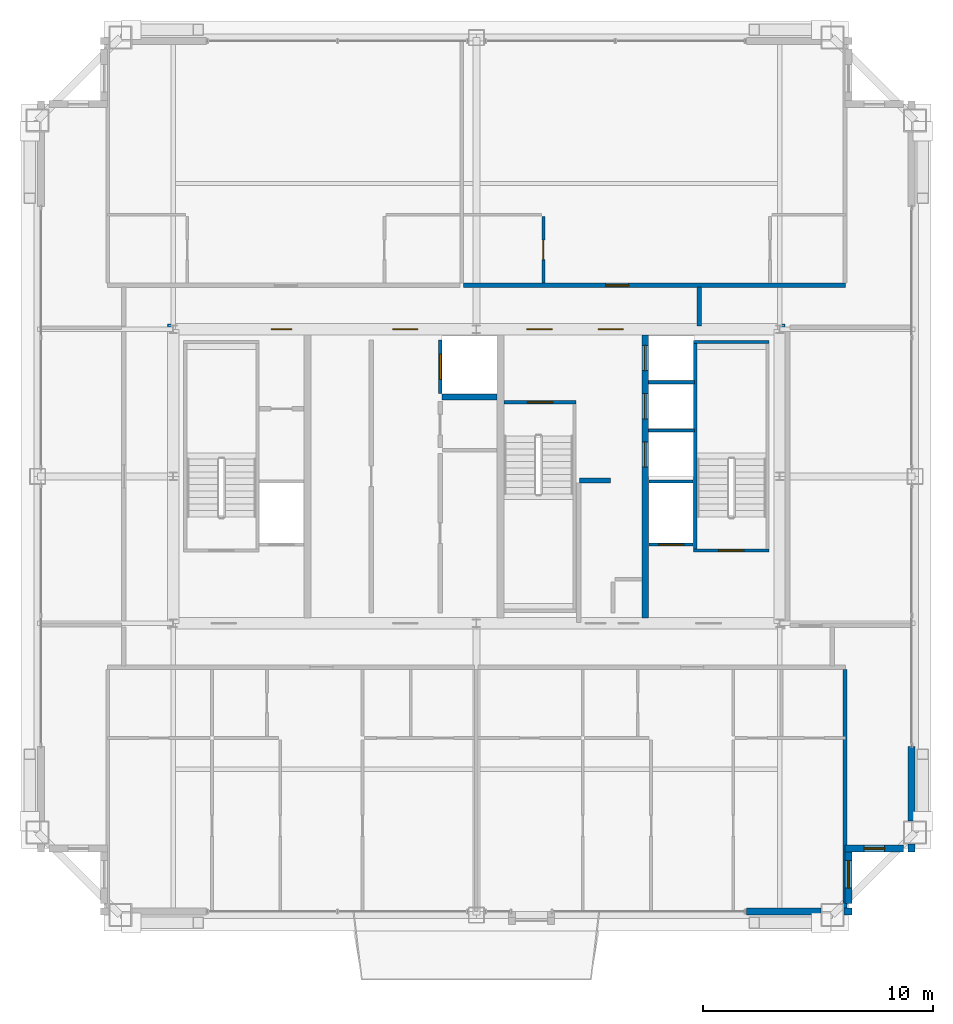
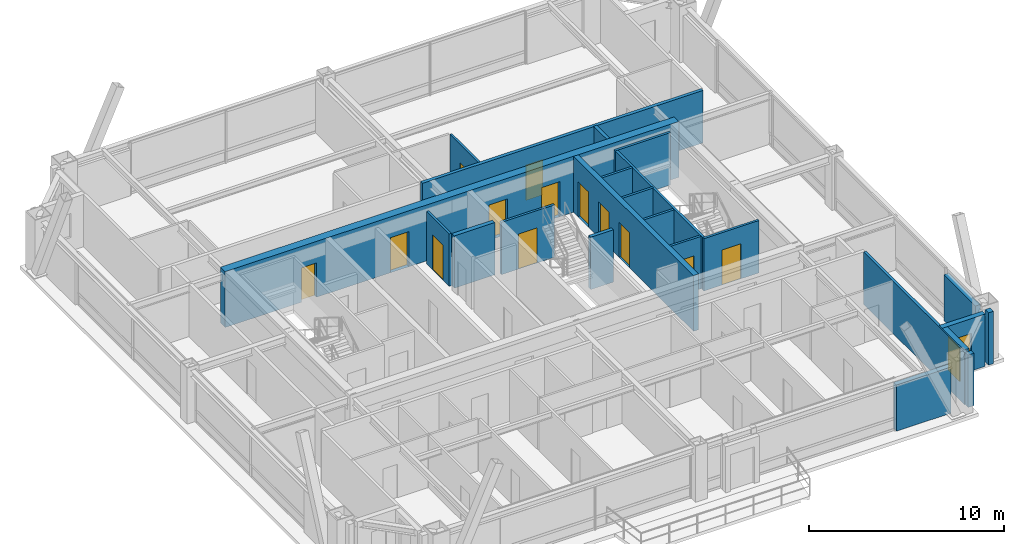
# One storey, part 32 of 34: 23 walls, 13 doors, 2 windows, 15 openings.
"""IFC4 building model written with IfcOpenShell, lengths in metres."""

from ifc_helpers import new_model, si_unit, direction, frame, frame_2d, origin, place, context, subcontext, project, spatial, rectangle, extrude, source, transform, mapped, material, layer, layer_set, type_object, element, fill, save


model = new_model("IFC4")

# Units and contexts
model_context = context("Model", 3, precision=1e-05, world=origin(), true_north=direction((0.0, 1.0)))
body_context = subcontext(model_context, "Body", "Model", "MODEL_VIEW")
ifc_project = project(units=[si_unit("LENGTHUNIT", "METRE"), si_unit("AREAUNIT", "SQUARE_METRE"), si_unit("VOLUMEUNIT", "CUBIC_METRE"), si_unit("PLANEANGLEUNIT", "RADIAN"), si_unit("MASSUNIT", "GRAM", prefix="KILO"), si_unit("THERMODYNAMICTEMPERATUREUNIT", "KELVIN"), si_unit("POWERUNIT", "WATT")], contexts=[model_context])

# Site, building, storey
site_placement = place(None, origin())
site = spatial("IfcSite", under=ifc_project, at=site_placement, CompositionType="ELEMENT")
building_placement = place(site_placement, origin())
building = spatial("IfcBuilding", under=site, at=building_placement, Name="Yuzanri Waterfront Tower", CompositionType="ELEMENT")
storey_placement = place(building_placement, frame((0.0, 0.0, 328.699951171875)))
storey = spatial("IfcBuildingStorey", under=building, at=storey_placement, Name="L88", CompositionType="ELEMENT", Elevation=328.699951171875)

# Wall, opening, door
ifc_material_1 = material(Name="Moisture-Resistant Gypsum Stud Wall", Category="gypsum")
ifc_layer_1 = layer(ifc_material_1, 0.1201171875)
ifc_layer_set_1 = layer_set([ifc_layer_1], Name="Moisture-Resistant Gypsum Stud Wall")
wall_type_1 = type_object("IfcWallType", Name="Bathroom and Kitchen Wet Partition 120", PredefinedType="PARTITIONING", material=ifc_layer_set_1)
wall_1_placement = place(storey_placement, frame((39.91796875, 34.2099609375, 0.0), z_axis=(0.0, 0.0, 1.0), x_axis=(0.0, 1.0, 0.0)))
wall_1 = element("IfcWall", 1, at=wall_1_placement, inside=storey, type_object=wall_type_1, Name="L88 Partition UW-L88-HN2-SUB-1-E", PredefinedType="PARTITIONING", context=body_context, shape_type="SweptSolid", body=[
    extrude(rectangle(XDim=2.900146484375, YDim=0.1201171875, at=frame_2d((1.4501953125, 0.0))), origin(), (0.0, 0.0, 1.0), 3.280029296875),
])
opening_1_placement = place(wall_1_placement, frame((1.02490234375, 0.0, 0.0)))
opening_1 = element("IfcOpeningElement", 2, at=opening_1_placement, cuts=wall_1, Name="Opening ID-0850", PredefinedType="OPENING", context=body_context, shape_type="SweptSolid", body=[
    extrude(rectangle(XDim=0.85009765625, YDim=2.10009765625, at=frame_2d((0.425048828125, 1.050048828125))), frame((0.0, 0.074951171875, 0.0), z_axis=(0.0, -1.0, 0.0), x_axis=(1.0, 0.0, 0.0)), (0.0, 0.0, 1.0), 0.14990234375),
])
ifc_material_2 = material(Name="Moisture-Resistant Lacquered Timber", Category="wood")
door_type_1 = type_object("IfcDoorType", Name="En-Suite Bathroom and Kitchen Swing Door 850x2100", OperationType="NOTDEFINED", PredefinedType="DOOR", material=ifc_material_2)
shared_shape_1 = source(origin(), body_context, "Body", "SweptSolid", [
    extrude(rectangle(XDim=0.85009765625, YDim=2.10009765625, at=frame_2d((0.425048828125, 1.050048828125))), frame((0.0, 0.02490234375, 0.0), z_axis=(0.0, -1.0, 0.0), x_axis=(1.0, 0.0, 0.0)), (0.0, 0.0, 1.0), 0.050048828125),
])
door_1_placement = place(opening_1_placement, origin())
door_1 = element("IfcDoor", 3, at=door_1_placement, inside=storey, type_object=door_type_1, Name="L88 Suite Interior Room Door", OperationType="SINGLE_SWING_RIGHT", OverallHeight=2.10009765625, OverallWidth=0.85009765625, PredefinedType="DOOR", context=body_context, shape_type="MappedRepresentation", body=[
    mapped(shared_shape_1, transform((0.0, 0.0, 0.0), scale=1.0)),
])
fill(opening_1, door_1)

# Wall, opening, window
ifc_material_3 = material(Name="Honed Chongqing Dark Basalt Stone", Category="masonry")
ifc_layer_2 = layer(ifc_material_3, 0.300048828125)
ifc_layer_set_2 = layer_set([ifc_layer_2], Name="Honed Chongqing Dark Basalt Stone")
wall_type_2 = type_object("IfcWallType", Name="Bronze Rainscreen Insulated Spandrel Portal Wall 300", PredefinedType="SOLIDWALL", material=ifc_layer_set_2)
wall_2_placement = place(storey_placement, frame((53.050048828125, 9.60009765625, 0.0), z_axis=(0.0, 0.0, 1.0), x_axis=(1.0, 0.0, 0.0)))
wall_2 = element("IfcWall", 4, at=wall_2_placement, inside=storey, type_object=wall_type_2, Name="L88 Notched Corner Masonry Wall SE-X", PredefinedType="SOLIDWALL", context=body_context, shape_type="SweptSolid", body=[
    extrude(rectangle(XDim=2.550048828125, YDim=0.300048828125, at=frame_2d((1.27490234375, 0.0))), origin(), (0.0, 0.0, 1.0), 3.280029296875),
])
opening_2_placement = place(wall_2_placement, frame((0.824951171875, 0.0, 0.85009765625)))
opening_2 = element("IfcOpeningElement", 5, at=opening_2_placement, cuts=wall_2, Name="Opening WN-05", PredefinedType="OPENING", context=body_context, shape_type="SweptSolid", body=[
    extrude(rectangle(XDim=0.89990234375, YDim=1.5, at=frame_2d((0.449951171875, 0.75))), frame((0.0, 0.1650390625, 0.0), z_axis=(0.0, -1.0, 0.0), x_axis=(1.0, 0.0, 0.0)), (0.0, 0.0, 1.0), 0.329833984375),
])
ifc_material_4 = material(Name="Double-Silver Low-E Insulated Glass", Category="glass")
window_type_1 = type_object("IfcWindowType", Name="Anodized Bronze Service and Stairwell Smoke-Vent Window 900x1500", PartitioningType="SINGLE_PANEL", PredefinedType="WINDOW", material=ifc_material_4)
shared_shape_2 = source(origin(), body_context, "Body", "SweptSolid", [
    extrude(rectangle(XDim=0.89990234375, YDim=1.5, at=frame_2d((0.449951171875, 0.75))), frame((0.0, 0.030029296875, 0.0), z_axis=(0.0, -1.0, 0.0), x_axis=(1.0, 0.0, 0.0)), (0.0, 0.0, 1.0), 0.06005859375),
])
window_1_placement = place(opening_2_placement, origin())
window_1 = element("IfcWindow", 6, at=window_1_placement, inside=storey, type_object=window_type_1, Name="L88 Notched Corner Window SE-X", OverallHeight=1.5, OverallWidth=0.89990234375, PartitioningType="SINGLE_PANEL", PredefinedType="WINDOW", context=body_context, shape_type="MappedRepresentation", body=[
    mapped(shared_shape_2, transform((0.0, 0.0, 0.0), scale=1.0)),
])
fill(opening_2, window_1)

wall_3_placement = place(storey_placement, frame((53.199951171875, 7.199951171875, 0.0), z_axis=(0.0, 0.0, 1.0), x_axis=(0.0, 1.0, 0.0)))
wall_3 = element("IfcWall", 7, at=wall_3_placement, inside=storey, type_object=wall_type_2, Name="L88 Notched Corner Masonry Wall SE-Y", PredefinedType="SOLIDWALL", context=body_context, shape_type="SweptSolid", body=[
    extrude(rectangle(XDim=2.550048828125, YDim=0.300048828125, at=frame_2d((1.27490234375, 0.0))), origin(), (0.0, 0.0, 1.0), 3.280029296875),
])
opening_3_placement = place(wall_3_placement, frame((0.675048828125, 0.0, 0.85009765625)))
opening_3 = element("IfcOpeningElement", 8, at=opening_3_placement, cuts=wall_3, Name="Opening WN-02", PredefinedType="OPENING", context=body_context, shape_type="SweptSolid", body=[
    extrude(rectangle(XDim=1.199951171875, YDim=2.10009765625, at=frame_2d((0.60009765625, 1.050048828125))), frame((0.0, 0.1650390625, 0.0), z_axis=(0.0, -1.0, 0.0), x_axis=(1.0, 0.0, 0.0)), (0.0, 0.0, 1.0), 0.329833984375),
])
ifc_material_5 = material(Name="Double-Silver Low-E Insulated Glass", Category="glass")
window_type_2 = type_object("IfcWindowType", Name="Anodized Bronze Notched Corner Deep-Set Slot Window 1200x2100", PartitioningType="SINGLE_PANEL", PredefinedType="WINDOW", material=ifc_material_5)
shared_shape_3 = source(origin(), body_context, "Body", "SweptSolid", [
    extrude(rectangle(XDim=1.199951171875, YDim=2.10009765625, at=frame_2d((0.60009765625, 1.050048828125))), frame((0.0, 0.030029296875, 0.0), z_axis=(0.0, -1.0, 0.0), x_axis=(1.0, 0.0, 0.0)), (0.0, 0.0, 1.0), 0.06005859375),
])
window_2_placement = place(opening_3_placement, origin())
window_2 = element("IfcWindow", 9, at=window_2_placement, inside=storey, type_object=window_type_2, Name="L88 Notched Corner Window SE-Y", OverallHeight=2.10009765625, OverallWidth=1.199951171875, PartitioningType="SINGLE_PANEL", PredefinedType="WINDOW", context=body_context, shape_type="MappedRepresentation", body=[
    mapped(shared_shape_3, transform((0.0, 0.0, 0.0), scale=1.0)),
])
fill(opening_3, window_2)

# Wall, openings, doors
ifc_material_6 = material(Name="Concrete C45", Category="concrete")
ifc_layer_3 = layer(ifc_material_6, 0.47998046875)
ifc_layer_set_3 = layer_set([ifc_layer_3], Name="Concrete C45")
wall_type_3 = type_object("IfcWallType", Name="Concrete C45 High-Rise Core Shear Wall 480", PredefinedType="SHEAR", material=ifc_layer_set_3)
wall_4_placement = place(storey_placement, frame((23.56005859375, 32.199951171875, 0.0), z_axis=(0.0, 0.0, 1.0), x_axis=(1.0, 0.0, 0.0)))
wall_4 = element("IfcWall", 10, at=wall_4_placement, inside=storey, type_object=wall_type_3, Name="L88 Core North Shear Wall", PredefinedType="SHEAR", context=body_context, shape_type="SweptSolid", body=[
    extrude(rectangle(XDim=26.8798828125, YDim=0.47998046875, at=frame_2d((13.43994140625, 0.0))), origin(), (0.0, 0.0, 1.0), 3.5),
])
opening_4_placement = place(wall_4_placement, frame((4.510009765625, 0.0, 0.0)))
opening_4 = element("IfcOpeningElement", 11, at=opening_4_placement, cuts=wall_4, Name="Opening FD-0900", PredefinedType="OPENING", context=body_context, shape_type="SweptSolid", body=[
    extrude(rectangle(XDim=0.89990234375, YDim=2.14990234375, at=frame_2d((0.449951171875, 1.074951171875))), frame((0.0, 0.2548828125, 0.0), z_axis=(0.0, -1.0, 0.0), x_axis=(1.0, 0.0, 0.0)), (0.0, 0.0, 1.0), 0.509765625),
])
opening_5_placement = place(wall_4_placement, frame((9.7900390625, 0.0, 0.0)))
opening_5 = element("IfcOpeningElement", 12, at=opening_5_placement, cuts=wall_4, Name="Opening FD-1100", PredefinedType="OPENING", context=body_context, shape_type="SweptSolid", body=[
    extrude(rectangle(XDim=1.10009765625, YDim=2.199951171875, at=frame_2d((0.550048828125, 1.10009765625))), frame((0.0, 0.2548828125, 0.0), z_axis=(0.0, -1.0, 0.0), x_axis=(1.0, 0.0, 0.0)), (0.0, 0.0, 1.0), 0.509765625),
])
opening_6_placement = place(wall_4_placement, frame((15.639892578125, 0.0, 0.0)))
opening_6 = element("IfcOpeningElement", 13, at=opening_6_placement, cuts=wall_4, Name="Opening FD-1100", PredefinedType="OPENING", context=body_context, shape_type="SweptSolid", body=[
    extrude(rectangle(XDim=1.10009765625, YDim=2.199951171875, at=frame_2d((0.550048828125, 1.10009765625))), frame((0.0, 0.2548828125, 0.0), z_axis=(0.0, -1.0, 0.0), x_axis=(1.0, 0.0, 0.0)), (0.0, 0.0, 1.0), 0.509765625),
])
opening_7_placement = place(wall_4_placement, frame((18.739990234375, 0.0, 0.0)))
opening_7 = element("IfcOpeningElement", 14, at=opening_7_placement, cuts=wall_4, Name="Opening FD-1100", PredefinedType="OPENING", context=body_context, shape_type="SweptSolid", body=[
    extrude(rectangle(XDim=1.10009765625, YDim=2.199951171875, at=frame_2d((0.550048828125, 1.10009765625))), frame((0.0, 0.2548828125, 0.0), z_axis=(0.0, -1.0, 0.0), x_axis=(1.0, 0.0, 0.0)), (0.0, 0.0, 1.0), 0.509765625),
])
ifc_material_7 = material(Name="Painted Galvanized Fire Steel", Category="steel")
door_type_2 = type_object("IfcDoorType", Name="Smoke-Proof Stair and Lobby Fire Door 1100x2200", OperationType="NOTDEFINED", PredefinedType="DOOR", material=ifc_material_7)
shared_shape_4 = source(origin(), body_context, "Body", "SweptSolid", [
    extrude(rectangle(XDim=1.10009765625, YDim=2.199951171875, at=frame_2d((0.550048828125, 1.10009765625))), frame((0.0, 0.02490234375, 0.0), z_axis=(0.0, -1.0, 0.0), x_axis=(1.0, 0.0, 0.0)), (0.0, 0.0, 1.0), 0.050048828125),
])
door_2_placement = place(opening_5_placement, origin())
door_2 = element("IfcDoor", 15, at=door_2_placement, inside=storey, type_object=door_type_2, Name="L88 Central Lift Lobby North Door", OperationType="SINGLE_SWING_LEFT", OverallHeight=2.199951171875, OverallWidth=1.10009765625, PredefinedType="DOOR", context=body_context, shape_type="MappedRepresentation", body=[
    mapped(shared_shape_4, transform((0.0, 0.0, 0.0), scale=1.0)),
])
fill(opening_5, door_2)
door_3_placement = place(opening_6_placement, origin())
door_3 = element("IfcDoor", 16, at=door_3_placement, inside=storey, type_object=door_type_2, Name="L88 North Stair Lobby Door", OperationType="SINGLE_SWING_RIGHT", OverallHeight=2.199951171875, OverallWidth=1.10009765625, PredefinedType="DOOR", context=body_context, shape_type="MappedRepresentation", body=[
    mapped(shared_shape_4, transform((0.0, 0.0, 0.0), scale=1.0)),
])
fill(opening_6, door_3)
door_4_placement = place(opening_7_placement, origin())
door_4 = element("IfcDoor", 17, at=door_4_placement, inside=storey, type_object=door_type_2, Name="L88 High-Rise Lift Lobby North Door", OperationType="SINGLE_SWING_LEFT", OverallHeight=2.199951171875, OverallWidth=1.10009765625, PredefinedType="DOOR", context=body_context, shape_type="MappedRepresentation", body=[
    mapped(shared_shape_4, transform((0.0, 0.0, 0.0), scale=1.0)),
])
fill(opening_7, door_4)
ifc_material_8 = material(Name="Painted Galvanized Fire Steel", Category="steel")
door_type_3 = type_object("IfcDoorType", Name="Riser and Service Room Fire Door 900x2150", OperationType="NOTDEFINED", PredefinedType="DOOR", material=ifc_material_8)
shared_shape_5 = source(origin(), body_context, "Body", "SweptSolid", [
    extrude(rectangle(XDim=0.89990234375, YDim=2.14990234375, at=frame_2d((0.449951171875, 1.074951171875))), frame((0.0, 0.02490234375, 0.0), z_axis=(0.0, -1.0, 0.0), x_axis=(1.0, 0.0, 0.0)), (0.0, 0.0, 1.0), 0.050048828125),
])
door_5_placement = place(opening_4_placement, origin())
door_5 = element("IfcDoor", 18, at=door_5_placement, inside=storey, type_object=door_type_3, Name="L88 Telecom Riser Door", OperationType="SINGLE_SWING_RIGHT", OverallHeight=2.14990234375, OverallWidth=0.89990234375, PredefinedType="DOOR", context=body_context, shape_type="MappedRepresentation", body=[
    mapped(shared_shape_5, transform((0.0, 0.0, 0.0), scale=1.0)),
])
fill(opening_4, door_5)

ifc_material_9 = material(Name="Concrete C50", Category="concrete")
ifc_layer_4 = layer(ifc_material_9, 0.300048828125)
ifc_layer_set_4 = layer_set([ifc_layer_4], Name="Concrete C50")
wall_type_4 = type_object("IfcWallType", Name="Concrete C50 Internal Core Shaft Structural Wall 300", PredefinedType="SOLIDWALL", material=ifc_layer_set_4)
wall_5_placement = place(storey_placement, frame((44.35009765625, 19.639892578125, 0.0), z_axis=(0.0, 0.0, 1.0), x_axis=(0.0, 1.0, 0.0)))
wall_5 = element("IfcWall", 19, at=wall_5_placement, inside=storey, type_object=wall_type_4, Name="L88 Core Internal Structural Web Wall 3", PredefinedType="SOLIDWALL", context=body_context, shape_type="SweptSolid", body=[
    extrude(rectangle(XDim=12.320068359375, YDim=0.300048828125, at=frame_2d((6.16015625, 0.0))), origin(), (0.0, 0.0, 1.0), 3.5),
])
opening_8_placement = place(wall_5_placement, frame((6.56005859375, 0.0, 0.0)))
opening_8 = element("IfcOpeningElement", 20, at=opening_8_placement, cuts=wall_5, Name="Opening LD-PL-09", PredefinedType="OPENING", context=body_context, shape_type="SweptSolid", body=[
    extrude(rectangle(XDim=1.10009765625, YDim=2.199951171875, at=frame_2d((0.550048828125, 1.10009765625))), frame((0.0, 0.1650390625, 0.0), z_axis=(0.0, -1.0, 0.0), x_axis=(1.0, 0.0, 0.0)), (0.0, 0.0, 1.0), 0.329833984375),
])
opening_9_placement = place(wall_5_placement, frame((8.659912109375, 0.0, 0.0)))
opening_9 = element("IfcOpeningElement", 21, at=opening_9_placement, cuts=wall_5, Name="Opening LD-PL-10", PredefinedType="OPENING", context=body_context, shape_type="SweptSolid", body=[
    extrude(rectangle(XDim=1.10009765625, YDim=2.199951171875, at=frame_2d((0.550048828125, 1.10009765625))), frame((0.0, 0.1650390625, 0.0), z_axis=(0.0, -1.0, 0.0), x_axis=(1.0, 0.0, 0.0)), (0.0, 0.0, 1.0), 0.329833984375),
])
opening_10_placement = place(wall_5_placement, frame((10.760009765625, 0.0, 0.0)))
opening_10 = element("IfcOpeningElement", 22, at=opening_10_placement, cuts=wall_5, Name="Opening LD-PL-11", PredefinedType="OPENING", context=body_context, shape_type="SweptSolid", body=[
    extrude(rectangle(XDim=1.10009765625, YDim=2.199951171875, at=frame_2d((0.550048828125, 1.10009765625))), frame((0.0, 0.1650390625, 0.0), z_axis=(0.0, -1.0, 0.0), x_axis=(1.0, 0.0, 0.0)), (0.0, 0.0, 1.0), 0.329833984375),
])
ifc_material_10 = material(Name="Brushed Bronze and Stainless Steel Cab", Category="steel")
door_type_4 = type_object("IfcDoorType", Name="Center-Parting Bronze Lift Landing Sliding Door 1100x2200", OperationType="NOTDEFINED", PredefinedType="DOOR", material=ifc_material_10)
shared_shape_6 = source(origin(), body_context, "Body", "SweptSolid", [
    extrude(rectangle(XDim=1.10009765625, YDim=2.199951171875, at=frame_2d((0.550048828125, 1.10009765625))), frame((0.0, 0.02490234375, 0.0), z_axis=(0.0, -1.0, 0.0), x_axis=(1.0, 0.0, 0.0)), (0.0, 0.0, 1.0), 0.050048828125),
])
door_6_placement = place(opening_8_placement, origin())
door_6 = element("IfcDoor", 23, at=door_6_placement, inside=storey, type_object=door_type_4, Name="L88 PL-09 Lift Landing Sliding Door", OperationType="SLIDING_TO_LEFT", OverallHeight=2.199951171875, OverallWidth=1.10009765625, PredefinedType="DOOR", context=body_context, shape_type="MappedRepresentation", body=[
    mapped(shared_shape_6, transform((0.0, 0.0, 0.0), scale=1.0)),
])
fill(opening_8, door_6)
door_7_placement = place(opening_9_placement, origin())
door_7 = element("IfcDoor", 24, at=door_7_placement, inside=storey, type_object=door_type_4, Name="L88 PL-10 Lift Landing Sliding Door", OperationType="SLIDING_TO_RIGHT", OverallHeight=2.199951171875, OverallWidth=1.10009765625, PredefinedType="DOOR", context=body_context, shape_type="MappedRepresentation", body=[
    mapped(shared_shape_6, transform((0.0, 0.0, 0.0), scale=1.0)),
])
fill(opening_9, door_7)
door_8_placement = place(opening_10_placement, origin())
door_8 = element("IfcDoor", 25, at=door_8_placement, inside=storey, type_object=door_type_4, Name="L88 PL-11 Lift Landing Sliding Door", OperationType="SLIDING_TO_LEFT", OverallHeight=2.199951171875, OverallWidth=1.10009765625, PredefinedType="DOOR", context=body_context, shape_type="MappedRepresentation", body=[
    mapped(shared_shape_6, transform((0.0, 0.0, 0.0), scale=1.0)),
])
fill(opening_10, door_8)

# Wall, opening, door
ifc_material_11 = material(Name="Concrete C40", Category="concrete")
ifc_layer_5 = layer(ifc_material_11, 0.139892578125)
ifc_layer_set_5 = layer_set([ifc_layer_5], Name="Concrete C40")
wall_type_5 = type_object("IfcWallType", Name="Core Stair Liner and Hoistway Shaft Wall 140", PredefinedType="SOLIDWALL", material=ifc_layer_set_5)
wall_6_placement = place(storey_placement, frame((44.52001953125, 22.830078125, 0.0), z_axis=(0.0, 0.0, 1.0), x_axis=(1.0, 0.0, 0.0)))
wall_6 = element("IfcWall", 26, at=wall_6_placement, inside=storey, type_object=wall_type_5, Name="L88 Lift FL-02 Front Shaft Wall", PredefinedType="SOLIDWALL", context=body_context, shape_type="SweptSolid", body=[
    extrude(rectangle(XDim=1.919921875, YDim=0.139892578125, at=frame_2d((0.9599609375, 0.0))), origin(), (0.0, 0.0, 1.0), 3.280029296875),
])
opening_11_placement = place(wall_6_placement, frame((0.409912109375, 0.0, 0.0)))
opening_11 = element("IfcOpeningElement", 27, at=opening_11_placement, cuts=wall_6, Name="Opening LD-FL-02", PredefinedType="OPENING", context=body_context, shape_type="SweptSolid", body=[
    extrude(rectangle(XDim=1.10009765625, YDim=2.199951171875, at=frame_2d((0.550048828125, 1.10009765625))), frame((0.0, 0.0849609375, 0.0), z_axis=(0.0, -1.0, 0.0), x_axis=(1.0, 0.0, 0.0)), (0.0, 0.0, 1.0), 0.169677734375),
])
door_9_placement = place(opening_11_placement, origin())
door_9 = element("IfcDoor", 28, at=door_9_placement, inside=storey, type_object=door_type_4, Name="L88 FL-02 Lift Landing Sliding Door", OperationType="SLIDING_TO_RIGHT", OverallHeight=2.199951171875, OverallWidth=1.10009765625, PredefinedType="DOOR", context=body_context, shape_type="MappedRepresentation", body=[
    mapped(shared_shape_6, transform((0.0, 0.0, 0.0), scale=1.0)),
])
fill(opening_11, door_9)

wall_7_placement = place(storey_placement, frame((35.429931640625, 29.39990234375, 0.0), z_axis=(0.0, 0.0, 1.0), x_axis=(0.0, 1.0, 0.0)))
wall_7 = element("IfcWall", 29, at=wall_7_placement, inside=storey, type_object=wall_type_5, Name="L88 Lift SL-02 Front Shaft Wall", PredefinedType="SOLIDWALL", context=body_context, shape_type="SweptSolid", body=[
    extrude(rectangle(XDim=2.340087890625, YDim=0.139892578125, at=frame_2d((1.169921875, 0.0))), origin(), (0.0, 0.0, 1.0), 3.280029296875),
])
opening_12_placement = place(wall_7_placement, frame((0.6201171875, 0.0, 0.0)))
opening_12 = element("IfcOpeningElement", 30, at=opening_12_placement, cuts=wall_7, Name="Opening LD-SL-02", PredefinedType="OPENING", context=body_context, shape_type="SweptSolid", body=[
    extrude(rectangle(XDim=1.10009765625, YDim=2.199951171875, at=frame_2d((0.550048828125, 1.10009765625))), frame((0.0, 0.0849609375, 0.0), z_axis=(0.0, -1.0, 0.0), x_axis=(1.0, 0.0, 0.0)), (0.0, 0.0, 1.0), 0.169677734375),
])
door_10_placement = place(opening_12_placement, origin())
door_10 = element("IfcDoor", 31, at=door_10_placement, inside=storey, type_object=door_type_4, Name="L88 SL-02 Lift Landing Sliding Door", OperationType="SLIDING_TO_RIGHT", OverallHeight=2.199951171875, OverallWidth=1.10009765625, PredefinedType="DOOR", context=body_context, shape_type="MappedRepresentation", body=[
    mapped(shared_shape_6, transform((0.0, 0.0, 0.0), scale=1.0)),
])
fill(opening_12, door_10)

wall_8_placement = place(storey_placement, frame((46.4599609375, 22.570068359375, 0.0), z_axis=(0.0, 0.0, 1.0), x_axis=(1.0, 0.0, 0.0)))
wall_8 = element("IfcWall", 32, at=wall_8_placement, inside=storey, type_object=wall_type_5, Name="L88 Shaft Wall STW-L88-ST-02-S", PredefinedType="SOLIDWALL", context=body_context, shape_type="SweptSolid", body=[
    extrude(rectangle(XDim=3.280029296875, YDim=0.139892578125, at=frame_2d((1.64013671875, 0.0))), origin(), (0.0, 0.0, 1.0), 3.280029296875),
])
opening_13_placement = place(wall_8_placement, frame((1.090087890625, 0.0, 0.0)))
opening_13 = element("IfcOpeningElement", 33, at=opening_13_placement, cuts=wall_8, Name="Opening FD-1100", PredefinedType="OPENING", context=body_context, shape_type="SweptSolid", body=[
    extrude(rectangle(XDim=1.10009765625, YDim=2.199951171875, at=frame_2d((0.550048828125, 1.10009765625))), frame((0.0, 0.0849609375, 0.0), z_axis=(0.0, -1.0, 0.0), x_axis=(1.0, 0.0, 0.0)), (0.0, 0.0, 1.0), 0.169677734375),
])
door_11_placement = place(opening_13_placement, origin())
door_11 = element("IfcDoor", 34, at=door_11_placement, inside=storey, type_object=door_type_2, Name="L88 Stair ST-02 Fire Door", OperationType="SINGLE_SWING_LEFT", OverallHeight=2.199951171875, OverallWidth=1.10009765625, PredefinedType="DOOR", context=body_context, shape_type="MappedRepresentation", body=[
    mapped(shared_shape_4, transform((0.0, 0.0, 0.0), scale=1.0)),
])
fill(opening_13, door_11)

wall_9_placement = place(storey_placement, frame((38.199951171875, 29.030029296875, 0.0), z_axis=(0.0, 0.0, 1.0), x_axis=(1.0, 0.0, 0.0)))
wall_9 = element("IfcWall", 35, at=wall_9_placement, inside=storey, type_object=wall_type_5, Name="L88 Shaft Wall STW-L88-ST-03-N", PredefinedType="SOLIDWALL", context=body_context, shape_type="SweptSolid", body=[
    extrude(rectangle(XDim=3.14013671875, YDim=0.139892578125, at=frame_2d((1.570068359375, 0.0))), origin(), (0.0, 0.0, 1.0), 3.280029296875),
])
opening_14_placement = place(wall_9_placement, frame((1.02001953125, 0.0, 0.0)))
opening_14 = element("IfcOpeningElement", 36, at=opening_14_placement, cuts=wall_9, Name="Opening FD-1100", PredefinedType="OPENING", context=body_context, shape_type="SweptSolid", body=[
    extrude(rectangle(XDim=1.10009765625, YDim=2.199951171875, at=frame_2d((0.550048828125, 1.10009765625))), frame((0.0, 0.0849609375, 0.0), z_axis=(0.0, -1.0, 0.0), x_axis=(1.0, 0.0, 0.0)), (0.0, 0.0, 1.0), 0.169677734375),
])
door_12_placement = place(opening_14_placement, origin())
door_12 = element("IfcDoor", 37, at=door_12_placement, inside=storey, type_object=door_type_2, Name="L88 Stair ST-03 Fire Door", OperationType="SINGLE_SWING_RIGHT", OverallHeight=2.199951171875, OverallWidth=1.10009765625, PredefinedType="DOOR", context=body_context, shape_type="MappedRepresentation", body=[
    mapped(shared_shape_4, transform((0.0, 0.0, 0.0), scale=1.0)),
])
fill(opening_14, door_12)

ifc_material_12 = material(Name="Autoclaved Aerated Concrete Blockwork", Category="masonry")
ifc_layer_6 = layer(ifc_material_12, 0.199951171875)
ifc_layer_set_6 = layer_set([ifc_layer_6], Name="Autoclaved Aerated Concrete Blockwork")
wall_type_6 = type_object("IfcWallType", Name="Corridor and Unit Party Fire Wall 200", PredefinedType="PARTITIONING", material=ifc_layer_set_6)
wall_10_placement = place(storey_placement, frame((36.43798828125, 34.110107421875, 0.0), z_axis=(0.0, 0.0, 1.0), x_axis=(1.0, 0.0, 0.0)))
wall_10 = element("IfcWall", 38, at=wall_10_placement, inside=storey, type_object=wall_type_6, Name="L88 Partition UW-L88-HN2-CS", PredefinedType="PARTITIONING", context=body_context, shape_type="SweptSolid", body=[
    extrude(rectangle(XDim=16.6220703125, YDim=0.199951171875, at=frame_2d((8.31103515625, 0.0))), origin(), (0.0, 0.0, 1.0), 3.280029296875),
])
opening_15_placement = place(wall_10_placement, frame((6.18603515625, 0.0, 0.0)))
opening_15 = element("IfcOpeningElement", 39, at=opening_15_placement, cuts=wall_10, Name="Opening FD-1000", PredefinedType="OPENING", context=body_context, shape_type="SweptSolid", body=[
    extrude(rectangle(XDim=1.0, YDim=2.199951171875, at=frame_2d((0.5, 1.10009765625))), frame((0.0, 0.11474609375, 0.0), z_axis=(0.0, -1.0, 0.0), x_axis=(1.0, 0.0, 0.0)), (0.0, 0.0, 1.0), 0.229736328125),
])
ifc_material_13 = material(Name="Engineered Oak Fire-Rated Timber", Category="wood")
door_type_5 = type_object("IfcDoorType", Name="Guestroom and Apartment Entrance Fire Door 1000x2200", OperationType="NOTDEFINED", PredefinedType="DOOR", material=ifc_material_13)
shared_shape_7 = source(origin(), body_context, "Body", "SweptSolid", [
    extrude(rectangle(XDim=1.0, YDim=2.199951171875, at=frame_2d((0.5, 1.10009765625))), frame((0.0, 0.02490234375, 0.0), z_axis=(0.0, -1.0, 0.0), x_axis=(1.0, 0.0, 0.0)), (0.0, 0.0, 1.0), 0.050048828125),
])
door_13_placement = place(opening_15_placement, origin())
door_13 = element("IfcDoor", 40, at=door_13_placement, inside=storey, type_object=door_type_5, Name="L88 Studio Living and Sleeping Room Entrance Door", OperationType="SINGLE_SWING_LEFT", OverallHeight=2.199951171875, OverallWidth=1.0, PredefinedType="DOOR", context=body_context, shape_type="MappedRepresentation", body=[
    mapped(shared_shape_7, transform((0.0, 0.0, 0.0), scale=1.0)),
])
fill(opening_15, door_13)

# Walls
shared_shape_8 = source(origin(), body_context, "Body", "SweptSolid", [
    extrude(rectangle(XDim=3.25, YDim=0.300048828125, at=frame_2d((1.625, 0.0))), origin(), (0.0, 0.0, 1.0), 2.885009765625),
])
for number, where, z_axis, x_axis, name in (
    (41, (48.75, 6.85009765625, 0.0), (0.0, 0.0, 1.0), (1.0, 0.0, 0.0), "L88 S Right Braced Masonry Shoulder"),
    (42, (55.949951171875, 10.800048828125, 0.0), (0.0, 0.0, 1.0), (0.0, 1.0, 0.0), "L88 E Left Braced Masonry Shoulder"),
):
    element("IfcWall", number, at=place(storey_placement, frame(where, z_axis=z_axis, x_axis=x_axis)), inside=storey, type_object=wall_type_2, Name=name, PredefinedType="SOLIDWALL", context=body_context, shape_type="MappedRepresentation", body=[
        mapped(shared_shape_8, transform((0.0, 0.0, 0.0), scale=1.0)),
    ])
shared_shape_9 = source(origin(), body_context, "Body", "SweptSolid", [
    extrude(rectangle(XDim=0.35009765625, YDim=0.300048828125, at=frame_2d((0.175048828125, 0.0))), origin(), (0.0, 0.0, 1.0), 3.280029296875),
])
for number, where, z_axis, x_axis, name in (
    (43, (53.0, 6.85009765625, 0.0), (0.0, 0.0, 1.0), (1.0, 0.0, 0.0), "L88 Corner Column Shoulder Return CSE"),
    (44, (55.949951171875, 9.449951171875, 0.0), (0.0, 0.0, 1.0), (0.0, 1.0, 0.0), "L88 Corner Column Shoulder Return CES"),
):
    element("IfcWall", number, at=place(storey_placement, frame(where, z_axis=z_axis, x_axis=x_axis)), inside=storey, type_object=wall_type_2, Name=name, PredefinedType="SOLIDWALL", context=body_context, shape_type="MappedRepresentation", body=[
        mapped(shared_shape_9, transform((0.0, 0.0, 0.0), scale=1.0)),
    ])
shared_shape_10 = source(origin(), body_context, "Body", "SweptSolid", [
    extrude(rectangle(XDim=1.919921875, YDim=0.139892578125, at=frame_2d((0.9599609375, 0.0))), origin(), (0.0, 0.0, 1.0), 3.280029296875),
])
wall_11_placement = place(storey_placement, frame((44.52001953125, 25.570068359375, 0.0), z_axis=(0.0, 0.0, 1.0), x_axis=(1.0, 0.0, 0.0)))
element("IfcWall", 45, at=wall_11_placement, inside=storey, type_object=wall_type_5, Name="L88 Lift FL-02 Back Shaft Wall", PredefinedType="SOLIDWALL", context=body_context, shape_type="MappedRepresentation", body=[
    mapped(shared_shape_10, transform((0.0, 0.0, 0.0), scale=1.0)),
])
ifc_material_14 = material(Name="Concrete C40", Category="concrete")
ifc_layer_7 = layer(ifc_material_14, 0.25)
ifc_layer_set_7 = layer_set([ifc_layer_7], Name="Concrete C40")
wall_type_7 = type_object("IfcWallType", Name="Smoke-Proof Stair and Lift Shaft Wall 250", PredefinedType="SOLIDWALL", material=ifc_layer_set_7)
shared_shape_11 = source(origin(), body_context, "Body", "SweptSolid", [
    extrude(rectangle(XDim=2.39990234375, YDim=0.25, at=frame_2d((1.199951171875, 0.0))), origin(), (0.0, 0.0, 1.0), 3.280029296875),
])
wall_12_placement = place(storey_placement, frame((35.5, 29.25, 0.0), z_axis=(0.0, 0.0, 1.0), x_axis=(1.0, 0.0, 0.0)))
element("IfcWall", 46, at=wall_12_placement, inside=storey, type_object=wall_type_7, Name="L88 Lift SL-02 South Shaft Wall", PredefinedType="SOLIDWALL", context=body_context, shape_type="MappedRepresentation", body=[
    mapped(shared_shape_11, transform((0.0, 0.0, 0.0), scale=1.0)),
])
shared_shape_12 = source(origin(), body_context, "Body", "SweptSolid", [
    extrude(rectangle(XDim=2.0, YDim=0.139892578125, at=frame_2d((1.0, 0.0))), origin(), (0.0, 0.0, 1.0), 3.280029296875),
])
for number, where, z_axis, x_axis, name in (
    (47, (44.5, 27.800048828125, 0.0), (0.0, 0.0, 1.0), (1.0, 0.0, 0.0), "L88 Lift PL-09 Divider Wall"),
    (48, (44.5, 29.89990234375, 0.0), (0.0, 0.0, 1.0), (1.0, 0.0, 0.0), "L88 Lift PL-10 Divider Wall"),
):
    element("IfcWall", number, at=place(storey_placement, frame(where, z_axis=z_axis, x_axis=x_axis)), inside=storey, type_object=wall_type_5, Name=name, PredefinedType="SOLIDWALL", context=body_context, shape_type="MappedRepresentation", body=[
        mapped(shared_shape_12, transform((0.0, 0.0, 0.0), scale=1.0)),
    ])
shared_shape_13 = source(origin(), body_context, "Body", "SweptSolid", [
    extrude(rectangle(XDim=3.280029296875, YDim=0.139892578125, at=frame_2d((1.64013671875, 0.0))), origin(), (0.0, 0.0, 1.0), 3.280029296875),
])
wall_13_placement = place(storey_placement, frame((46.4599609375, 31.64990234375, 0.0), z_axis=(0.0, 0.0, 1.0), x_axis=(1.0, 0.0, 0.0)))
element("IfcWall", 49, at=wall_13_placement, inside=storey, type_object=wall_type_5, Name="L88 Stair ST-02 North Shaft Wall", PredefinedType="SOLIDWALL", context=body_context, shape_type="MappedRepresentation", body=[
    mapped(shared_shape_13, transform((0.0, 0.0, 0.0), scale=1.0)),
])
shared_shape_14 = source(origin(), body_context, "Body", "SweptSolid", [
    extrude(rectangle(XDim=8.940185546875, YDim=0.139892578125, at=frame_2d((4.47021484375, 0.0))), origin(), (0.0, 0.0, 1.0), 3.280029296875),
])
wall_14_placement = place(storey_placement, frame((46.530029296875, 22.639892578125, 0.0), z_axis=(0.0, 0.0, 1.0), x_axis=(0.0, 1.0, 0.0)))
element("IfcWall", 50, at=wall_14_placement, inside=storey, type_object=wall_type_5, Name="L88 Stair ST-02 West Shaft Wall", PredefinedType="SOLIDWALL", context=body_context, shape_type="MappedRepresentation", body=[
    mapped(shared_shape_14, transform((0.0, 0.0, 0.0), scale=1.0)),
])
shared_shape_15 = source(origin(), body_context, "Body", "SweptSolid", [
    extrude(rectangle(XDim=1.35009765625, YDim=0.199951171875, at=frame_2d((0.675048828125, 0.0))), origin(), (0.0, 0.0, 1.0), 3.280029296875),
])
wall_15_placement = place(storey_placement, frame((41.5, 25.6201171875, 0.0), z_axis=(0.0, 0.0, 1.0), x_axis=(1.0, 0.0, 0.0)))
element("IfcWall", 51, at=wall_15_placement, inside=storey, type_object=wall_type_6, Name="L88 Core BOH Split Wall 1", PredefinedType="PARTITIONING", context=body_context, shape_type="MappedRepresentation", body=[
    mapped(shared_shape_15, transform((0.0, 0.0, 0.0), scale=1.0)),
])
shared_shape_16 = source(origin(), body_context, "Body", "SweptSolid", [
    extrude(rectangle(XDim=1.699951171875, YDim=0.199951171875, at=frame_2d((0.85009765625, 0.0))), origin(), (0.0, 0.0, 1.0), 3.280029296875),
])
wall_16_placement = place(storey_placement, frame((46.699951171875, 32.35009765625, 0.0), z_axis=(0.0, 0.0, 1.0), x_axis=(0.0, 1.0, 0.0)))
element("IfcWall", 52, at=wall_16_placement, inside=storey, type_object=wall_type_6, Name="L88 North Foyer East End Wall", PredefinedType="PARTITIONING", context=body_context, shape_type="MappedRepresentation", body=[
    mapped(shared_shape_16, transform((0.0, 0.0, 0.0), scale=1.0)),
])
ifc_material_15 = material(Name="Gypsum Fireboard Acoustic Stud Wall", Category="gypsum")
ifc_layer_8 = layer(ifc_material_15, 0.159912109375)
ifc_layer_set_8 = layer_set([ifc_layer_8], Name="Gypsum Fireboard Acoustic Stud Wall")
wall_type_8 = type_object("IfcWallType", Name="Acoustic Suite Demising Partition 160", PredefinedType="PARTITIONING", material=ifc_layer_set_8)
shared_shape_17 = source(origin(), body_context, "Body", "SweptSolid", [
    extrude(rectangle(XDim=10.389892578125, YDim=0.159912109375, at=frame_2d((5.19482421875, 0.0))), origin(), (0.0, 0.0, 1.0), 3.280029296875),
])
wall_17_placement = place(storey_placement, frame((53.050048828125, 7.0, 0.0), z_axis=(0.0, 0.0, 1.0), x_axis=(0.0, 1.0, 0.0)))
element("IfcWall", 53, at=wall_17_placement, inside=storey, type_object=wall_type_8, Name="L88 South Band East End Wall", PredefinedType="PARTITIONING", context=body_context, shape_type="MappedRepresentation", body=[
    mapped(shared_shape_17, transform((0.0, 0.0, 0.0), scale=1.0)),
])

save(model, "model.ifc")
